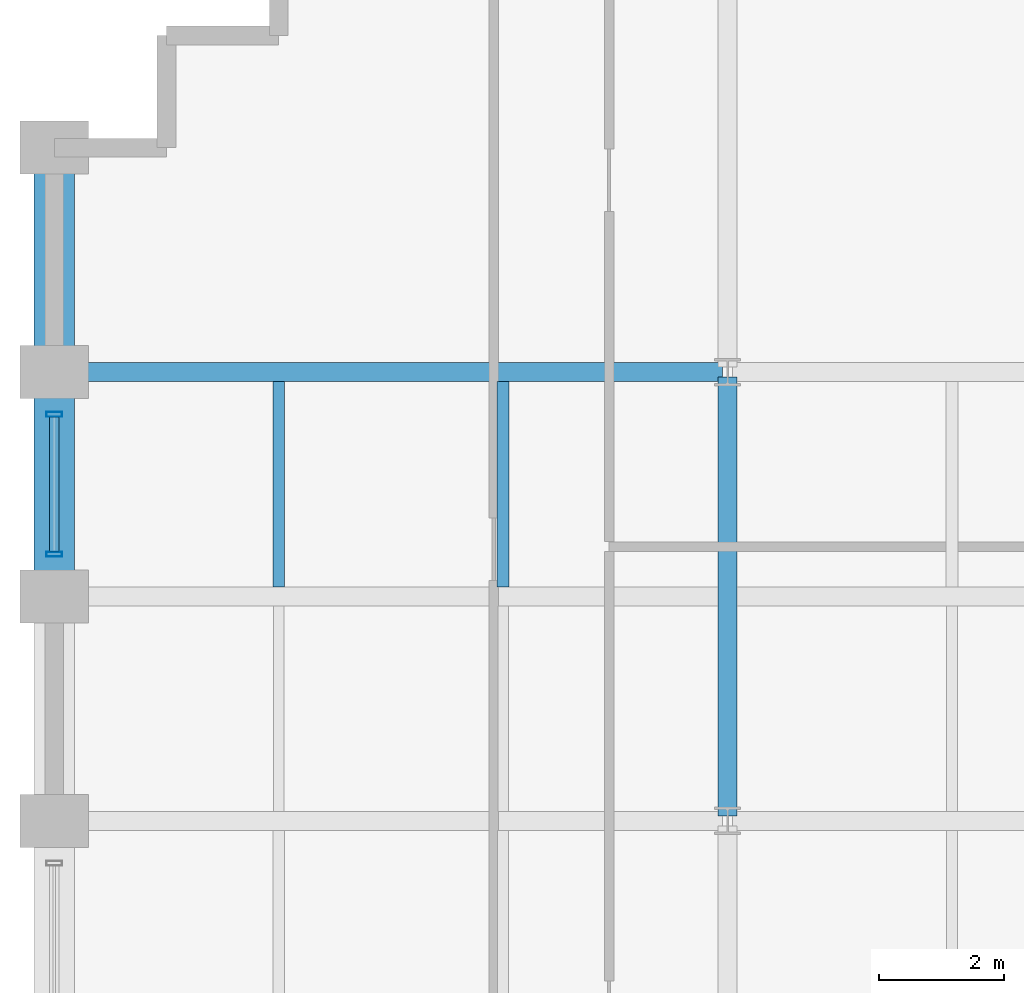
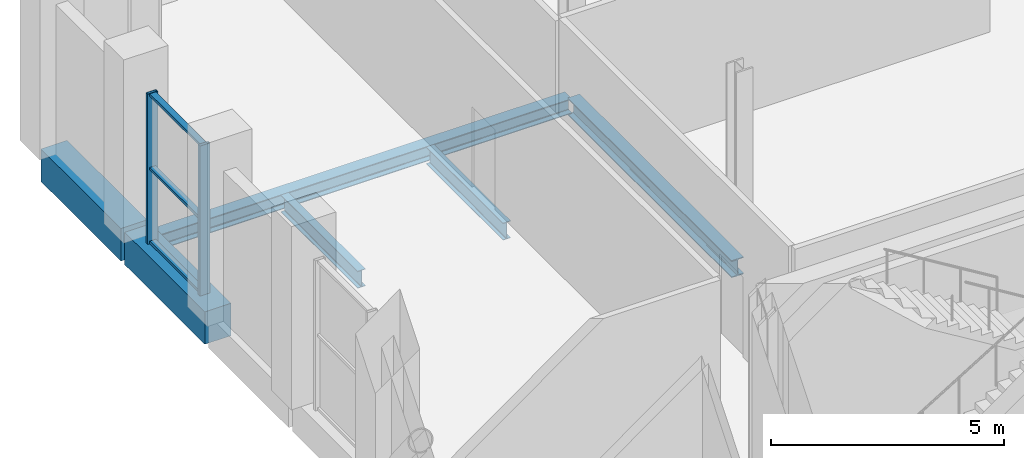
# One storey, part 14 of 22: 6 beams, 5 members, 1 element without a shape of its own.
"""IFC4 building model written with IfcOpenShell, lengths in metres."""

from ifc_helpers import new_model, si_unit, direction, frame, origin, origin_2d, place, context, subcontext, project, spatial, rectangle, hollow_rectangle, i_section, extrude, material, layer, layer_set, material_profile, profile_set, type_object, element, aggregate, save


model = new_model("IFC4")

# Units and contexts
model_context = context("Model", 3, precision=1e-05, world=origin(), true_north=direction((0.0, 1.0)))
body_context = subcontext(model_context, "Body", "Model", "MODEL_VIEW")
ifc_project = project(units=[si_unit("LENGTHUNIT", "METRE"), si_unit("AREAUNIT", "SQUARE_METRE"), si_unit("VOLUMEUNIT", "CUBIC_METRE"), si_unit("PLANEANGLEUNIT", "RADIAN"), si_unit("MASSUNIT", "GRAM", prefix="KILO")], contexts=[model_context])

# Site, building, storey
site_placement = place(None, origin())
site = spatial("IfcSite", under=ifc_project, at=site_placement, CompositionType="ELEMENT")
building_placement = place(site_placement, origin())
building = spatial("IfcBuilding", under=site, at=building_placement, Name="Solnavia Interchange Tower", CompositionType="ELEMENT")
storey_placement = place(building_placement, frame((0.0, 0.0, 115.199951171875)))
storey = spatial("IfcBuildingStorey", under=building, at=storey_placement, Name="L28", CompositionType="ELEMENT", Elevation=115.199951171875)

# Beams
ifc_material_1 = material(Name="Steel S460", Category="steel")
ifc_material_profile_1 = material_profile(ifc_material_1, i_section(OverallWidth=0.300048828125, OverallDepth=0.449951171875, WebThickness=0.013916015625, FlangeThickness=0.02587890625, FilletRadius=0.027099609375, at=origin_2d()), Name="HEB 450")
ifc_profile_set_1 = profile_set([ifc_material_profile_1], Name="Steel S460")
beam_type_1 = type_object("IfcBeamType", Name="Beam-Girder-HEB450", PredefinedType="BEAM", material=ifc_profile_set_1)
beam_1_placement = place(storey_placement, frame((18.0, 32.47998046875, -0.544921875), z_axis=(0.0, 1.0, 0.0), x_axis=(-1.0, 0.0, 0.0)))
element("IfcBeam", 1, at=beam_1_placement, inside=storey, type_object=beam_type_1, Name="GRD-L28-NS12 North wing spine girder", PredefinedType="BEAM", context=body_context, shape_type="SweptSolid", body=[
    extrude(i_section(OverallWidth=0.300048828125, OverallDepth=0.449951171875, WebThickness=0.013916015625, FlangeThickness=0.02587890625, FilletRadius=0.027099609375, at=origin_2d()), origin(), (0.0, 0.0, 1.0), 7.0400390625),
])
ifc_material_2 = material(Name="Steel S355", Category="steel")
ifc_material_profile_2 = material_profile(ifc_material_2, i_section(OverallWidth=0.18994140625, OverallDepth=0.449951171875, WebThickness=0.009521484375, FlangeThickness=0.0146484375, FilletRadius=0.02099609375, at=origin_2d()), Name="IPE 450")
ifc_profile_set_2 = profile_set([ifc_material_profile_2], Name="Steel S355")
beam_type_2 = type_object("IfcBeamType", Name="Beam-Joist-IPE450", PredefinedType="JOIST", material=ifc_profile_set_2)
for number, where, z_axis, x_axis, name in (
    (2, (10.800048828125, 36.14990234375, -0.544921875), (0.0, 1.0, 0.0), (-1.0, 0.0, 0.0), "JST-L28-N19 North wing secondary joist"),
    (3, (14.39990234375, 36.14990234375, -0.544921875), (0.0, 1.0, 0.0), (-1.0, 0.0, 0.0), "JST-L28-N22 North wing secondary joist"),
):
    element("IfcBeam", number, at=place(storey_placement, frame(where, z_axis=z_axis, x_axis=x_axis)), inside=storey, type_object=beam_type_2, Name=name, PredefinedType="JOIST", context=body_context, shape_type="SweptSolid", body=[
        extrude(i_section(OverallWidth=0.18994140625, OverallDepth=0.449951171875, WebThickness=0.009521484375, FlangeThickness=0.0146484375, FilletRadius=0.02099609375, at=origin_2d()), origin(), (0.0, 0.0, 1.0), 3.300048828125),
    ])
ifc_material_profile_3 = material_profile(ifc_material_2, i_section(OverallWidth=0.300048828125, OverallDepth=0.389892578125, WebThickness=0.010986328125, FlangeThickness=0.01904296875, FilletRadius=0.027099609375, at=origin_2d()), Name="HEA 400")
ifc_profile_set_3 = profile_set([ifc_material_profile_3], Name="Steel S355")
beam_type_3 = type_object("IfcBeamType", Name="Beam-Primary-HEA400", PredefinedType="BEAM", material=ifc_profile_set_3)
beam_2_placement = place(storey_placement, frame((7.280029296875, 39.60009765625, -0.514892578125), z_axis=(1.0, 0.0, 0.0), x_axis=(0.0, 1.0, 0.0)))
element("IfcBeam", 4, at=beam_2_placement, inside=storey, type_object=beam_type_3, Name="GRD-L28-NW18 North wing primary floor girder", PredefinedType="BEAM", context=body_context, shape_type="SweptSolid", body=[
    extrude(i_section(OverallWidth=0.300048828125, OverallDepth=0.389892578125, WebThickness=0.010986328125, FlangeThickness=0.01904296875, FilletRadius=0.027099609375, at=origin_2d()), origin(), (0.0, 0.0, 1.0), 10.639892578125),
])
ifc_material_3 = material(Name="Concrete C50/60", Category="concrete")
ifc_material_profile_4 = material_profile(ifc_material_3, rectangle(XDim=0.64990234375, YDim=0.85009765625, at=origin_2d()), Name="RC 650x850")
ifc_profile_set_4 = profile_set([ifc_material_profile_4], Name="Concrete C50/60")
beam_type_4 = type_object("IfcBeamType", Name="Beam-Spandrel-RC650x850", PredefinedType="SPANDREL", material=ifc_profile_set_4)
beam_3_placement = place(storey_placement, frame((7.199951171875, 43.1201171875, -0.425048828125), z_axis=(0.0, -1.0, 0.0), x_axis=(1.0, 0.0, 0.0)))
element("IfcBeam", 5, at=beam_3_placement, inside=storey, type_object=beam_type_4, Name="SPB-L28-35 Framed-tube perimeter spandrel beam", PredefinedType="SPANDREL", context=body_context, shape_type="SweptSolid", body=[
    extrude(rectangle(XDim=0.64990234375, YDim=0.85009765625, at=origin_2d()), origin(), (0.0, 0.0, 1.0), 3.440185546875),
])
beam_4_placement = place(storey_placement, frame((7.199951171875, 39.52001953125, -0.425048828125), z_axis=(0.0, -1.0, 0.0), x_axis=(1.0, 0.0, 0.0)))
element("IfcBeam", 6, at=beam_4_placement, inside=storey, type_object=beam_type_4, Name="SPB-L28-36 Framed-tube perimeter spandrel beam", PredefinedType="SPANDREL", context=body_context, shape_type="SweptSolid", body=[
    extrude(rectangle(XDim=0.64990234375, YDim=0.85009765625, at=origin_2d()), origin(), (0.0, 0.0, 1.0), 3.43994140625),
])

# Curtain wall, members
ifc_material_4 = material(Name="Aluminium Alloy 6063-T6", Category="aluminium")
ifc_layer = layer(ifc_material_4, 0.27001953125)
ifc_layer_set = layer_set([ifc_layer], Name="Aluminium Alloy 6063-T6")
curtain_wall_type = type_object("IfcCurtainWallType", Name="CurtainWall-SkyLobby-CTW4", PredefinedType="NOTDEFINED", material=ifc_layer_set)
curtain_wall_placement = place(storey_placement, origin())
curtain_wall = element("IfcCurtainWall", 7, at=curtain_wall_placement, inside=storey, type_object=curtain_wall_type, Name="CTW-L28-S50 CTW-4 curtain wall", PredefinedType="NOTDEFINED")
ifc_material_profile_5 = material_profile(ifc_material_4, hollow_rectangle(XDim=0.080078125, YDim=0.25, WallThickness=0.006103515625, at=origin_2d()), Name="ALU 250x80x6")
ifc_profile_set_5 = profile_set([ifc_material_profile_5], Name="Aluminium Alloy 6063-T6")
member_type_1 = type_object("IfcMemberType", Name="CW-Mullion-CWM-4", PredefinedType="MULLION", material=ifc_profile_set_5)
member_1_placement = place(storey_placement, frame((7.199951171875, 38.919921875, 0.0), z_axis=(0.0, 0.0, 1.0), x_axis=(0.0, -1.0, 0.0)))
member_1 = element("IfcMember", 8, at=member_1_placement, type_object=member_type_1, Name="CTW-4 mullion 1", PredefinedType="MULLION", context=body_context, shape_type="SweptSolid", body=[
    extrude(hollow_rectangle(XDim=0.080078125, YDim=0.25, WallThickness=0.006103515625, at=origin_2d()), origin(), (0.0, 0.0, 1.0), 3.929931640625),
])
member_2_placement = place(storey_placement, frame((7.199951171875, 36.679931640625, 0.0), z_axis=(0.0, 0.0, 1.0), x_axis=(0.0, -1.0, 0.0)))
member_2 = element("IfcMember", 9, at=member_2_placement, type_object=member_type_1, Name="CTW-4 mullion 2", PredefinedType="MULLION", context=body_context, shape_type="SweptSolid", body=[
    extrude(hollow_rectangle(XDim=0.080078125, YDim=0.25, WallThickness=0.006103515625, at=origin_2d()), origin(), (0.0, 0.0, 1.0), 3.929931640625),
])
ifc_material_profile_6 = material_profile(ifc_material_4, hollow_rectangle(XDim=0.070068359375, YDim=0.14990234375, WallThickness=0.00439453125, at=origin_2d()), Name="ALU 150x70x4.5")
ifc_profile_set_6 = profile_set([ifc_material_profile_6], Name="Aluminium Alloy 6063-T6")
member_type_2 = type_object("IfcMemberType", Name="CW-Transom-CWT-4", PredefinedType="USERDEFINED", material=ifc_profile_set_6)
member_3_placement = place(storey_placement, frame((7.199951171875, 38.8798828125, 0.03515625), z_axis=(0.0, -1.0, 0.0), x_axis=(0.0, 0.0, 1.0)))
member_3 = element("IfcMember", 10, at=member_3_placement, type_object=member_type_2, Name="CTW-4 transom 1.1", ObjectType="TRANSOM", PredefinedType="USERDEFINED", context=body_context, shape_type="SweptSolid", body=[
    extrude(hollow_rectangle(XDim=0.070068359375, YDim=0.14990234375, WallThickness=0.00439453125, at=origin_2d()), origin(), (0.0, 0.0, 1.0), 2.159912109375),
])
member_4_placement = place(storey_placement, frame((7.199951171875, 38.8798828125, 1.965087890625), z_axis=(0.0, -1.0, 0.0), x_axis=(0.0, 0.0, 1.0)))
member_4 = element("IfcMember", 11, at=member_4_placement, type_object=member_type_2, Name="CTW-4 transom 1.2", ObjectType="TRANSOM", PredefinedType="USERDEFINED", context=body_context, shape_type="SweptSolid", body=[
    extrude(hollow_rectangle(XDim=0.070068359375, YDim=0.14990234375, WallThickness=0.00439453125, at=origin_2d()), origin(), (0.0, 0.0, 1.0), 2.159912109375),
])
member_5_placement = place(storey_placement, frame((7.199951171875, 38.8798828125, 3.89501953125), z_axis=(0.0, -1.0, 0.0), x_axis=(0.0, 0.0, 1.0)))
member_5 = element("IfcMember", 12, at=member_5_placement, type_object=member_type_2, Name="CTW-4 transom 1.3", ObjectType="TRANSOM", PredefinedType="USERDEFINED", context=body_context, shape_type="SweptSolid", body=[
    extrude(hollow_rectangle(XDim=0.070068359375, YDim=0.14990234375, WallThickness=0.00439453125, at=origin_2d()), origin(), (0.0, 0.0, 1.0), 2.159912109375),
])
aggregate(curtain_wall, [member_1, member_2, member_3, member_4, member_5])

save(model, "model.ifc")
